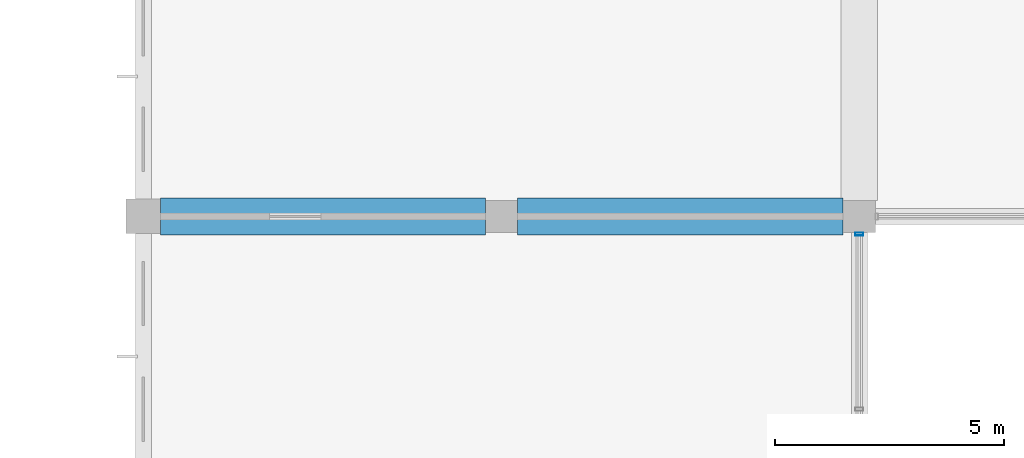
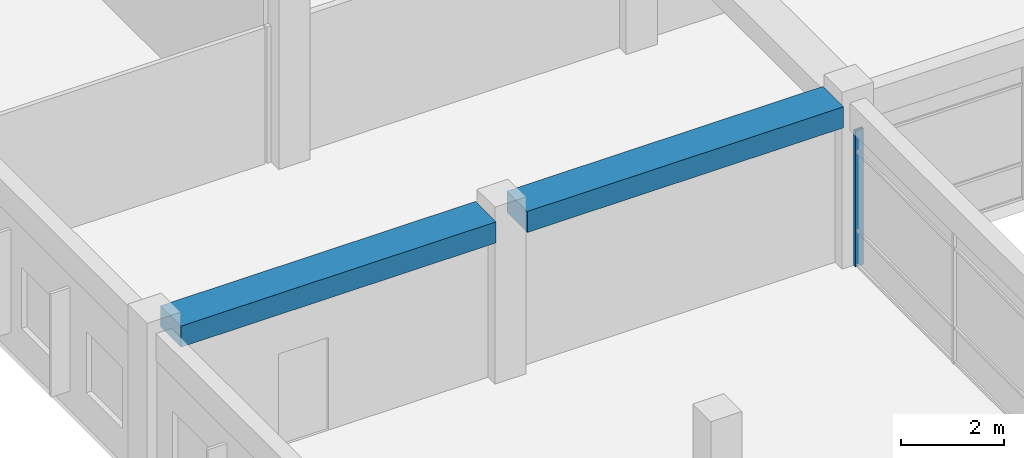
# One storey, part 10 of 53: 2 beams, 1 member, 1 element without a shape of its own.
"""IFC4 building model written with IfcOpenShell, lengths in metres."""

from ifc_helpers import new_model, si_unit, direction, frame, origin, origin_2d, place, context, subcontext, project, spatial, rectangle, hollow_rectangle, extrude, material, material_profile, profile_set, type_object, element, aggregate, save


model = new_model("IFC4")

# Units and contexts
model_context = context("Model", 3, precision=1e-05, world=origin(), true_north=direction((0.0, 1.0)))
body_context = subcontext(model_context, "Body", "Model", "MODEL_VIEW")
ifc_project = project(units=[si_unit("LENGTHUNIT", "METRE"), si_unit("AREAUNIT", "SQUARE_METRE"), si_unit("VOLUMEUNIT", "CUBIC_METRE"), si_unit("PLANEANGLEUNIT", "RADIAN"), si_unit("MASSUNIT", "GRAM", prefix="KILO"), si_unit("THERMODYNAMICTEMPERATUREUNIT", "KELVIN"), si_unit("POWERUNIT", "WATT")], contexts=[model_context])

# Site, building, storey
site_placement = place(None, origin())
site = spatial("IfcSite", under=ifc_project, at=site_placement, CompositionType="ELEMENT")
building_placement = place(site_placement, origin())
building = spatial("IfcBuilding", under=site, at=building_placement, Name="Srebrne Nadtorze General Hospital", CompositionType="ELEMENT")
storey_placement = place(building_placement, frame((0.0, 0.0, 18.0)))
storey = spatial("IfcBuildingStorey", under=building, at=storey_placement, Name="L04", CompositionType="ELEMENT", Elevation=18.0)

# Curtain wall, member
ifc_material_1 = material(Name="Anodised Aluminium", Category="aluminium")
curtain_wall_type = type_object("IfcCurtainWallType", Name="Unitised curtain wall 7700x3235", PredefinedType="NOTDEFINED", material=ifc_material_1)
curtain_wall_placement = place(storey_placement, origin())
curtain_wall = element("IfcCurtainWall", 1, at=curtain_wall_placement, inside=storey, type_object=curtain_wall_type, Name="Curtain wall CW-111", PredefinedType="NOTDEFINED")
ifc_material_2 = material(Name="Anodised Aluminium", Category="aluminium")
ifc_material_profile_1 = material_profile(ifc_material_2, hollow_rectangle(XDim=0.06494140625, YDim=0.179931640625, WallThickness=0.00390625, at=origin_2d()), Name="AL-MUL-65x180")
ifc_profile_set_1 = profile_set([ifc_material_profile_1], Name="Anodised Aluminium")
member_type = type_object("IfcMemberType", Name="Curtain mullion 65x180", PredefinedType="MULLION", material=ifc_profile_set_1)
member_placement = place(storey_placement, frame((117.0, 24.8173828125, 0.0), z_axis=(0.0, 0.0, 1.0), x_axis=(0.0, 1.0, 0.0)))
member = element("IfcMember", 2, at=member_placement, type_object=member_type, Name="CW-111 mullion 3", PredefinedType="MULLION", context=body_context, shape_type="SweptSolid", body=[
    extrude(hollow_rectangle(XDim=0.06494140625, YDim=0.179931640625, WallThickness=0.00390625, at=origin_2d()), origin(), (0.0, 0.0, 1.0), 3.235107421875),
])
aggregate(curtain_wall, [member])

# Beams
ifc_material_3 = material(Name="Concrete C40/50", Category="concrete")
ifc_material_profile_2 = material_profile(ifc_material_3, rectangle(XDim=0.800048828125, YDim=0.5, at=origin_2d()), Name="RC-BM-800x500")
ifc_profile_set_2 = profile_set([ifc_material_profile_2], Name="Concrete C40/50")
beam_type = type_object("IfcBeamType", Name="Primary beam RC 800x500", PredefinedType="BEAM", material=ifc_profile_set_2)
beam_1_placement = place(storey_placement, frame((101.77490234375, 25.199951171875, 3.635009765625), z_axis=(1.0, 0.0, 0.0), x_axis=(0.0, 1.0, 0.0)))
element("IfcBeam", 3, at=beam_1_placement, inside=storey, type_object=beam_type, Name="Beam BM-L04-X-0875", PredefinedType="BEAM", context=body_context, shape_type="SweptSolid", body=[
    extrude(rectangle(XDim=0.800048828125, YDim=0.5, at=origin_2d()), origin(), (0.0, 0.0, 1.0), 7.0751953125),
])
beam_2_placement = place(storey_placement, frame((109.550048828125, 25.199951171875, 3.635009765625), z_axis=(1.0, 0.0, 0.0), x_axis=(0.0, 1.0, 0.0)))
element("IfcBeam", 4, at=beam_2_placement, inside=storey, type_object=beam_type, Name="Beam BM-L04-X-0876", PredefinedType="BEAM", context=body_context, shape_type="SweptSolid", body=[
    extrude(rectangle(XDim=0.800048828125, YDim=0.5, at=origin_2d()), origin(), (0.0, 0.0, 1.0), 7.099853515625),
])

save(model, "model.ifc")
